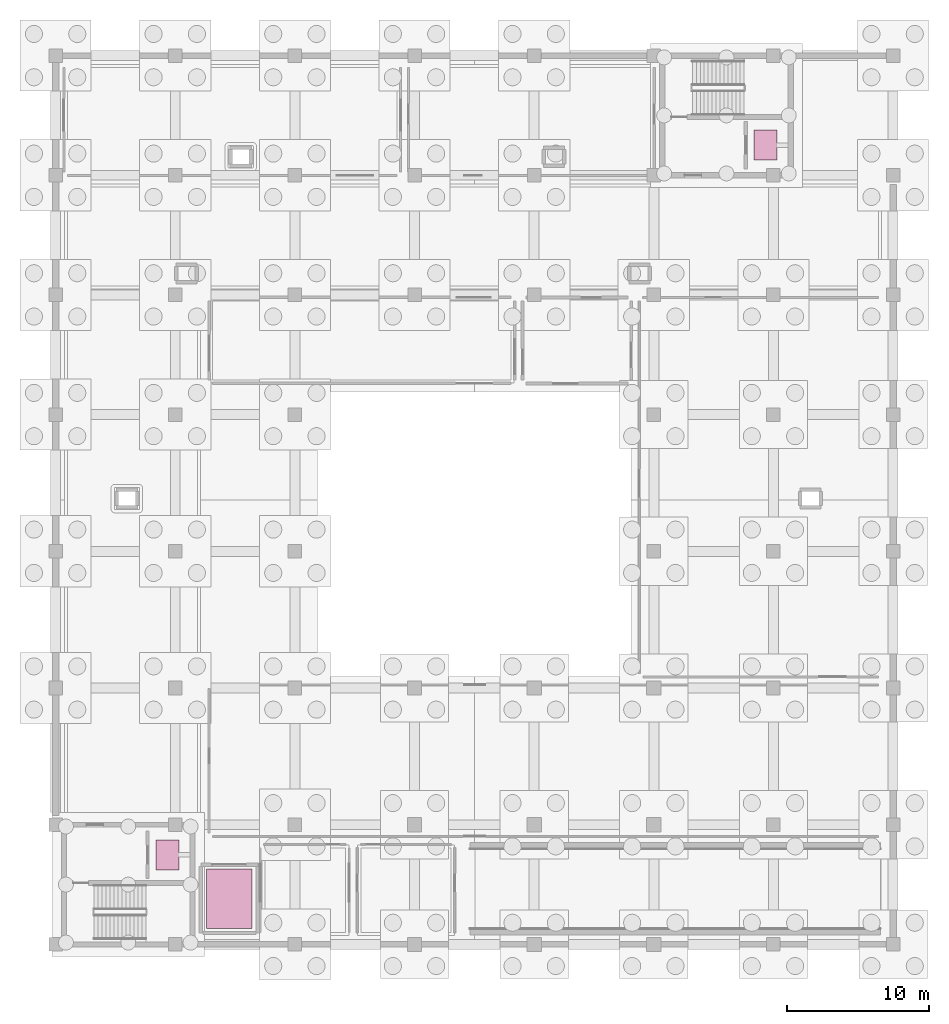
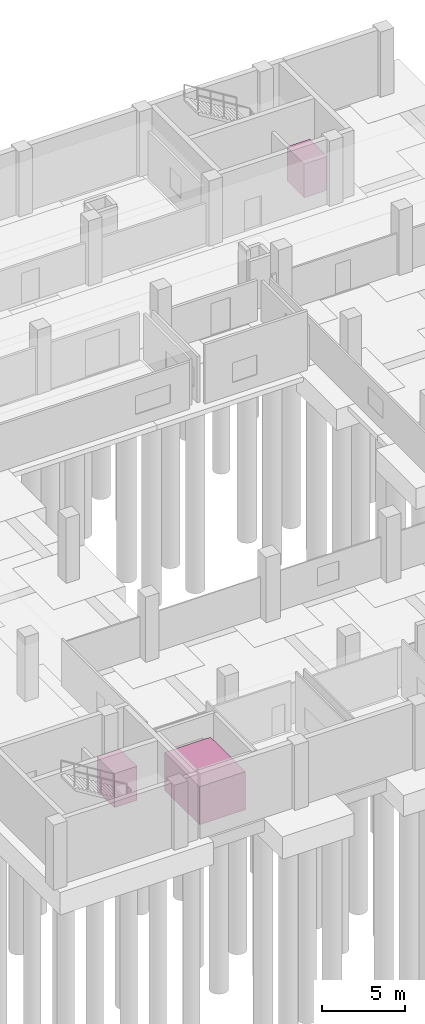
# One storey, part 12 of 12: 3 transport elements.
"""IFC4 building model written with IfcOpenShell, lengths in metres."""

from ifc_helpers import new_model, si_unit, direction, frame, origin, origin_2d, place, context, subcontext, project, spatial, rectangle, extrude, material, type_object, element, save


model = new_model("IFC4")

# Units and contexts
model_context = context("Model", 3, precision=1e-05, world=origin(), true_north=direction((0.0, 1.0)))
body_context = subcontext(model_context, "Body", "Model", "MODEL_VIEW")
ifc_project = project(units=[si_unit("LENGTHUNIT", "METRE"), si_unit("AREAUNIT", "SQUARE_METRE"), si_unit("VOLUMEUNIT", "CUBIC_METRE"), si_unit("PLANEANGLEUNIT", "RADIAN"), si_unit("MASSUNIT", "GRAM", prefix="KILO")], contexts=[model_context])

# Site, building, storey
site_placement = place(None, origin())
site = spatial("IfcSite", under=ifc_project, at=site_placement, CompositionType="ELEMENT")
building_placement = place(site_placement, origin())
building = spatial("IfcBuilding", under=site, at=building_placement, Name="Zulmaris Art Gallery", CompositionType="ELEMENT")
storey_placement = place(building_placement, frame((0.0, 0.0, -4.800048828125)))
storey = spatial("IfcBuildingStorey", under=building, at=storey_placement, Name="B1", CompositionType="ELEMENT", Elevation=-4.800048828125)

# Transport elements
ifc_material = material(Name="Brushed Bronze & Stainless Lift Car", Category="steel")
transport_element_type_1 = type_object("IfcTransportElementType", Name="TRANS-LFT-FF", PredefinedType="ELEVATOR", material=ifc_material)
for number, where, z_axis, x_axis, name in (
    (1, (149.449951171875, 19.485107421875, 0.0), (0.0, 0.0, 1.0), (1.0, 0.0, 0.0), "Firefighting Lift LF-F2"),
    (2, (191.449951171875, 69.31494140625, 0.0), (0.0, 0.0, 1.0), (1.0, 0.0, 0.0), "Firefighting Lift LF-F1"),
):
    element("IfcTransportElement", number, at=place(storey_placement, frame(where, z_axis=z_axis, x_axis=x_axis)), inside=storey, type_object=transport_element_type_1, Name=name, PredefinedType="ELEVATOR", context=body_context, shape_type="SweptSolid", body=[
        extrude(rectangle(XDim=1.60009765625, YDim=2.10009765625, at=origin_2d()), origin(), (0.0, 0.0, 1.0), 2.5),
    ])
transport_element_type_2 = type_object("IfcTransportElementType", Name="TRANS-LFT-GDS", PredefinedType="ELEVATOR", material=ifc_material)
transport_element_placement = place(storey_placement, frame((153.800048828125, 16.39990234375, 0.0), z_axis=(0.0, 0.0, 1.0), x_axis=(1.0, 0.0, 0.0)))
element("IfcTransportElement", 3, at=transport_element_placement, inside=storey, type_object=transport_element_type_2, Name="Goods Lift", PredefinedType="ELEVATOR", context=body_context, shape_type="SweptSolid", body=[
    extrude(rectangle(XDim=3.199951171875, YDim=4.199951171875, at=origin_2d()), origin(), (0.0, 0.0, 1.0), 2.800048828125),
])

save(model, "model.ifc")
